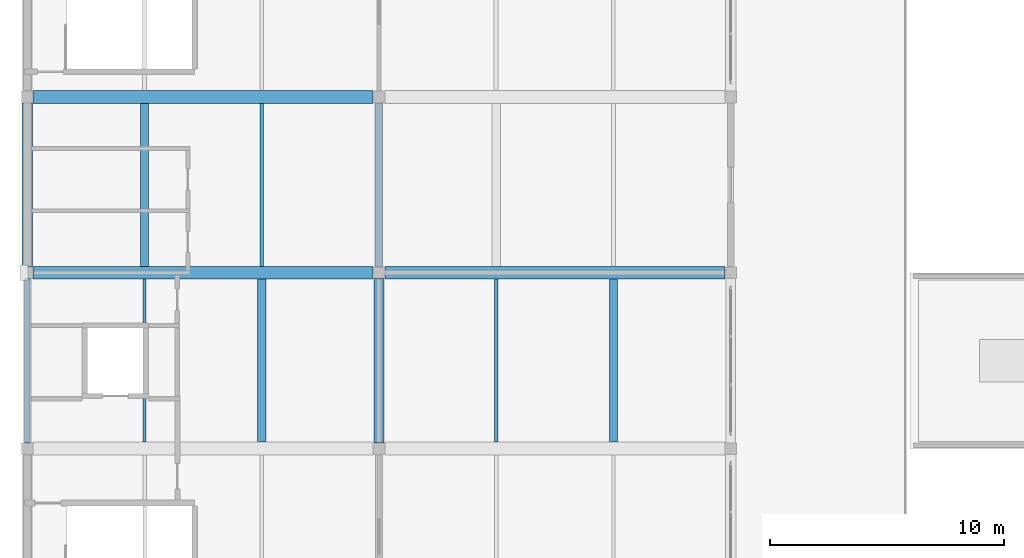
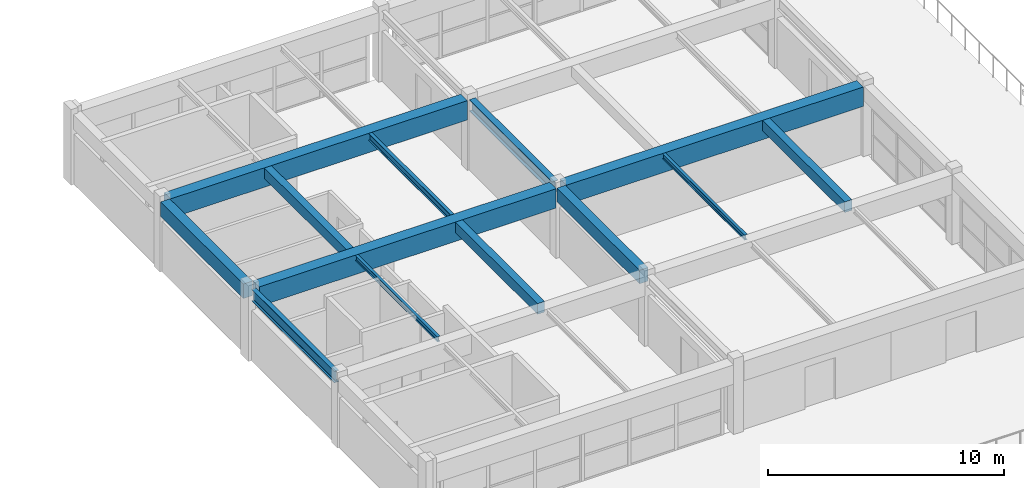
# One storey, part 9 of 82: 13 beams.
"""IFC4 building model written with IfcOpenShell, lengths in metres."""

from ifc_helpers import new_model, si_unit, direction, frame, origin, origin_2d, place, context, subcontext, project, spatial, rectangle, i_section, extrude, material, material_profile, profile_set, type_object, element, save


model = new_model("IFC4")

# Units and contexts
model_context = context("Model", 3, precision=1e-05, world=origin(), true_north=direction((0.0, 1.0)))
body_context = subcontext(model_context, "Body", "Model", "MODEL_VIEW")
ifc_project = project(units=[si_unit("LENGTHUNIT", "METRE"), si_unit("AREAUNIT", "SQUARE_METRE"), si_unit("VOLUMEUNIT", "CUBIC_METRE"), si_unit("PLANEANGLEUNIT", "RADIAN"), si_unit("MASSUNIT", "GRAM", prefix="KILO")], contexts=[model_context])

# Site, building, storey
site_placement = place(None, origin())
site = spatial("IfcSite", under=ifc_project, at=site_placement, CompositionType="ELEMENT")
building_placement = place(site_placement, origin())
building = spatial("IfcBuilding", under=site, at=building_placement, Name="Qasida Concert Hall", CompositionType="ELEMENT")
storey_placement = place(building_placement, frame((0.0, 0.0, 17.10009765625)))
storey = spatial("IfcBuildingStorey", under=building, at=storey_placement, Name="L04", CompositionType="ELEMENT", Elevation=17.10009765625)

# Beams
ifc_material_1 = material(Name="Concrete C40/50", Category="concrete")
ifc_material_profile_1 = material_profile(ifc_material_1, rectangle(XDim=0.419921875, YDim=0.699951171875, at=origin_2d()), Name="RC 420x700")
ifc_profile_set_1 = profile_set([ifc_material_profile_1], Name="Concrete C40/50")
beam_type_1 = type_object("IfcBeamType", Name="BM-B11", PredefinedType="BEAM", material=ifc_profile_set_1)
beam_1_placement = place(storey_placement, frame((15.0, 30.25, 3.27001953125), z_axis=(0.0, 1.0, 0.0), x_axis=(-1.0, 0.0, 0.0)))
element("IfcBeam", 1, at=beam_1_placement, inside=storey, type_object=beam_type_1, Name="L04 girder 1908", PredefinedType="BEAM", context=body_context, shape_type="SweptSolid", body=[
    extrude(rectangle(XDim=0.419921875, YDim=0.699951171875, at=origin_2d()), origin(), (0.0, 0.0, 1.0), 7.0),
])
ifc_material_2 = material(Name="Steel S355J2", Category="steel")
ifc_material_profile_2 = material_profile(ifc_material_2, i_section(OverallWidth=0.300048828125, OverallDepth=0.60009765625, WebThickness=0.015380859375, FlangeThickness=0.030029296875, FilletRadius=0.027099609375, at=origin_2d()), Name="HEB 600")
ifc_profile_set_2 = profile_set([ifc_material_profile_2], Name="Steel S355J2")
beam_type_2 = type_object("IfcBeamType", Name="BM-B6", PredefinedType="BEAM", material=ifc_profile_set_2)
beam_2_placement = place(storey_placement, frame((15.0, 37.75, 3.31982421875), z_axis=(0.0, 1.0, 0.0), x_axis=(-1.0, 0.0, 0.0)))
element("IfcBeam", 2, at=beam_2_placement, inside=storey, type_object=beam_type_2, Name="L04 girder 1909", PredefinedType="BEAM", context=body_context, shape_type="SweptSolid", body=[
    extrude(i_section(OverallWidth=0.300048828125, OverallDepth=0.60009765625, WebThickness=0.015380859375, FlangeThickness=0.030029296875, FilletRadius=0.027099609375, at=origin_2d()), origin(), (0.0, 0.0, 1.0), 7.0),
])
ifc_material_profile_3 = material_profile(ifc_material_1, rectangle(XDim=0.550048828125, YDim=1.0, at=origin_2d()), Name="RC 550x1000")
ifc_profile_set_3 = profile_set([ifc_material_profile_3], Name="Concrete C40/50")
beam_type_3 = type_object("IfcBeamType", Name="BM-G3", PredefinedType="USERDEFINED", material=ifc_profile_set_3)
for number, where, z_axis, x_axis, name in (
    (3, (0.25, 37.5, 3.119873046875), (1.0, 0.0, 0.0), (0.0, 1.0, 0.0), "Primary girder 1897"),
    (4, (15.25, 37.5, 3.119873046875), (1.0, 0.0, 0.0), (0.0, 1.0, 0.0), "Primary girder 1898"),
    (5, (0.25, 45.0, 3.119873046875), (1.0, 0.0, 0.0), (0.0, 1.0, 0.0), "Primary girder 1899"),
):
    element("IfcBeam", number, at=place(storey_placement, frame(where, z_axis=z_axis, x_axis=x_axis)), inside=storey, type_object=beam_type_3, Name=name, ObjectType="GIRDER", PredefinedType="USERDEFINED", context=body_context, shape_type="SweptSolid", body=[
        extrude(rectangle(XDim=0.550048828125, YDim=1.0, at=origin_2d()), origin(), (0.0, 0.0, 1.0), 14.5),
    ])
ifc_material_profile_4 = material_profile(ifc_material_2, i_section(OverallWidth=0.169921875, OverallDepth=0.360107421875, WebThickness=0.008056640625, FlangeThickness=0.0126953125, FilletRadius=0.01806640625, at=origin_2d()), Name="IPE 360")
ifc_profile_set_4 = profile_set([ifc_material_profile_4], Name="Steel S355J2")
beam_type_4 = type_object("IfcBeamType", Name="BM-J2", PredefinedType="JOIST", material=ifc_profile_set_4)
beam_3_placement = place(storey_placement, frame((10.0, 37.77490234375, 3.43994140625), z_axis=(0.0, 1.0, 0.0), x_axis=(-1.0, 0.0, 0.0)))
element("IfcBeam", 6, at=beam_3_placement, inside=storey, type_object=beam_type_4, Name="L04 secondary joist 1920", PredefinedType="JOIST", context=body_context, shape_type="SweptSolid", body=[
    extrude(i_section(OverallWidth=0.169921875, OverallDepth=0.360107421875, WebThickness=0.008056640625, FlangeThickness=0.0126953125, FilletRadius=0.01806640625, at=origin_2d()), origin(), (0.0, 0.0, 1.0), 6.9501953125),
])
ifc_material_profile_5 = material_profile(ifc_material_2, i_section(OverallWidth=0.135009765625, OverallDepth=0.27001953125, WebThickness=0.006591796875, FlangeThickness=0.01025390625, FilletRadius=0.014892578125, at=origin_2d()), Name="IPE 270")
ifc_profile_set_5 = profile_set([ifc_material_profile_5], Name="Steel S355J2")
beam_type_5 = type_object("IfcBeamType", Name="BM-J6", PredefinedType="JOIST", material=ifc_profile_set_5)
for number, where, z_axis, x_axis, name in (
    (7, (5.0, 30.27490234375, 3.48486328125), (0.0, 1.0, 0.0), (-1.0, 0.0, 0.0), "L04 secondary joist 1917"),
    (8, (20.0, 30.27490234375, 3.48486328125), (0.0, 1.0, 0.0), (-1.0, 0.0, 0.0), "L04 secondary joist 1925"),
):
    element("IfcBeam", number, at=place(storey_placement, frame(where, z_axis=z_axis, x_axis=x_axis)), inside=storey, type_object=beam_type_5, Name=name, PredefinedType="JOIST", context=body_context, shape_type="SweptSolid", body=[
        extrude(i_section(OverallWidth=0.135009765625, OverallDepth=0.27001953125, WebThickness=0.006591796875, FlangeThickness=0.01025390625, FilletRadius=0.014892578125, at=origin_2d()), origin(), (0.0, 0.0, 1.0), 6.9501953125),
    ])
ifc_material_profile_6 = material_profile(ifc_material_1, rectangle(XDim=0.35009765625, YDim=0.550048828125, at=origin_2d()), Name="RC 350x550")
ifc_profile_set_6 = profile_set([ifc_material_profile_6], Name="Concrete C40/50")
beam_type_6 = type_object("IfcBeamType", Name="BM-J8", PredefinedType="JOIST", material=ifc_profile_set_6)
for number, where, z_axis, x_axis, name in (
    (9, (10.0, 30.27490234375, 3.344970703125), (0.0, 1.0, 0.0), (-1.0, 0.0, 0.0), "L04 secondary joist 1918"),
    (10, (5.0, 37.77490234375, 3.344970703125), (0.0, 1.0, 0.0), (-1.0, 0.0, 0.0), "L04 secondary joist 1919"),
    (11, (25.0, 30.27490234375, 3.344970703125), (0.0, 1.0, 0.0), (-1.0, 0.0, 0.0), "L04 secondary joist 1926"),
):
    element("IfcBeam", number, at=place(storey_placement, frame(where, z_axis=z_axis, x_axis=x_axis)), inside=storey, type_object=beam_type_6, Name=name, PredefinedType="JOIST", context=body_context, shape_type="SweptSolid", body=[
        extrude(rectangle(XDim=0.35009765625, YDim=0.550048828125, at=origin_2d()), origin(), (0.0, 0.0, 1.0), 6.9501953125),
    ])
ifc_material_profile_7 = material_profile(ifc_material_2, i_section(OverallWidth=0.219970703125, OverallDepth=0.60009765625, WebThickness=0.011962890625, FlangeThickness=0.01904296875, FilletRadius=0.02392578125, at=origin_2d()), Name="IPE 600")
ifc_profile_set_7 = profile_set([ifc_material_profile_7], Name="Steel S355J2")
beam_type_7 = type_object("IfcBeamType", Name="BM-SP3", PredefinedType="SPANDREL", material=ifc_profile_set_7)
beam_4_placement = place(storey_placement, frame((0.0, 30.25, 3.31982421875), z_axis=(0.0, 1.0, 0.0), x_axis=(-1.0, 0.0, 0.0)))
element("IfcBeam", 12, at=beam_4_placement, inside=storey, type_object=beam_type_7, Name="L04 girder 1904", PredefinedType="SPANDREL", context=body_context, shape_type="SweptSolid", body=[
    extrude(i_section(OverallWidth=0.219970703125, OverallDepth=0.60009765625, WebThickness=0.011962890625, FlangeThickness=0.01904296875, FilletRadius=0.02392578125, at=origin_2d()), origin(), (0.0, 0.0, 1.0), 7.0),
])
ifc_material_profile_8 = material_profile(ifc_material_1, rectangle(XDim=0.449951171875, YDim=0.75, at=origin_2d()), Name="RC 450x750")
ifc_profile_set_8 = profile_set([ifc_material_profile_8], Name="Concrete C40/50")
beam_type_8 = type_object("IfcBeamType", Name="BM-SP4", PredefinedType="SPANDREL", material=ifc_profile_set_8)
beam_5_placement = place(storey_placement, frame((0.0, 37.75, 3.244873046875), z_axis=(0.0, 1.0, 0.0), x_axis=(-1.0, 0.0, 0.0)))
element("IfcBeam", 13, at=beam_5_placement, inside=storey, type_object=beam_type_8, Name="L04 girder 1905", PredefinedType="SPANDREL", context=body_context, shape_type="SweptSolid", body=[
    extrude(rectangle(XDim=0.449951171875, YDim=0.75, at=origin_2d()), origin(), (0.0, 0.0, 1.0), 7.0),
])

save(model, "model.ifc")
